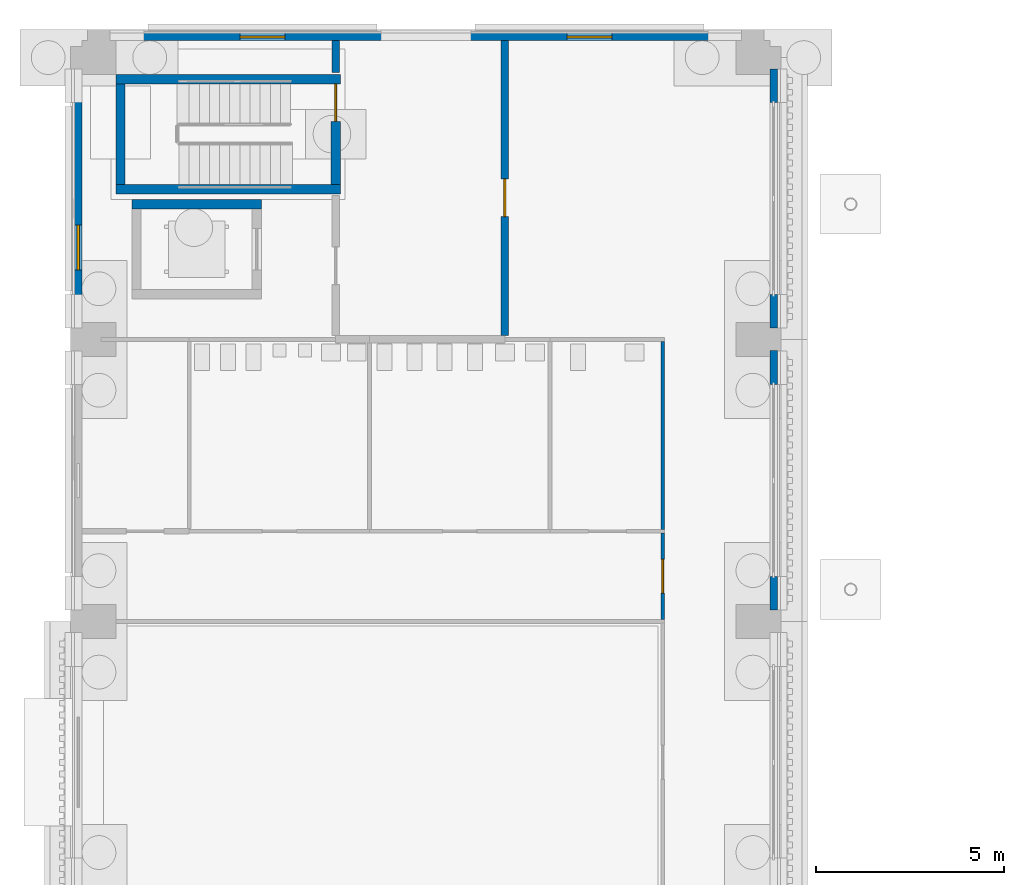
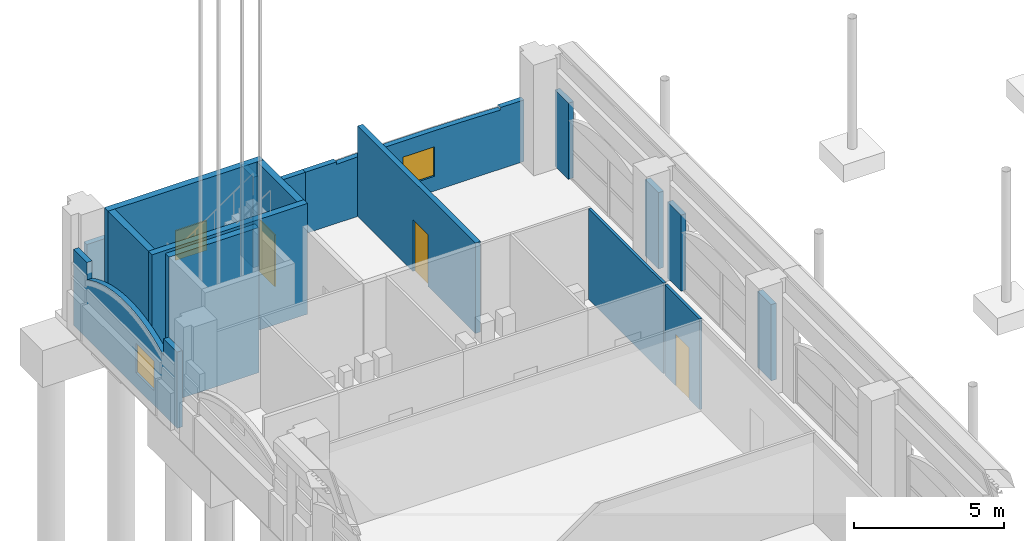
# One storey, part 39 of 99: 16 walls, 3 doors, 3 windows, 6 openings.
"""IFC4 building model written with IfcOpenShell, lengths in metres."""

from ifc_helpers import new_model, si_unit, direction, frame, frame_2d, origin, place, context, subcontext, project, spatial, polyline, rectangle, outline, extrude, material, layer, layer_set, type_object, element, fill, save


model = new_model("IFC4")

# Units and contexts
model_context = context("Model", 3, precision=1e-05, world=origin(), true_north=direction((0.0, 1.0)))
body_context = subcontext(model_context, "Body", "Model", "MODEL_VIEW")
ifc_project = project(units=[si_unit("LENGTHUNIT", "METRE"), si_unit("AREAUNIT", "SQUARE_METRE"), si_unit("VOLUMEUNIT", "CUBIC_METRE"), si_unit("PLANEANGLEUNIT", "RADIAN"), si_unit("MASSUNIT", "GRAM", prefix="KILO")], contexts=[model_context])

# Site, building, storey
site_placement = place(None, origin())
site = spatial("IfcSite", under=ifc_project, at=site_placement, CompositionType="ELEMENT")
building_placement = place(site_placement, origin())
building = spatial("IfcBuilding", under=site, at=building_placement, Name="Cour d'Honneur Mobility Palace", CompositionType="ELEMENT")
storey_placement = place(building_placement, origin())
storey = spatial("IfcBuildingStorey", under=building, at=storey_placement, Name="L00", CompositionType="ELEMENT", Elevation=0.0)

# Walls
ifc_material_1 = material(Name="Concrete C40", Category="concrete")
ifc_layer_1 = layer(ifc_material_1, 0.199951171875)
ifc_layer_set_1 = layer_set([ifc_layer_1], Name="Concrete C40")
wall_type_1 = type_object("IfcWallType", Name="Arch infill panel", PredefinedType="SOLIDWALL", material=ifc_layer_set_1)
for number, where, z_axis, x_axis, name in (
    (1, (17.949951171875, 100.199951171875, 0.0), (0.0, 0.0, 1.0), (0.0, 1.0, 0.0), "Arch infill panel IP-91"),
    (2, (17.949951171875, 106.199951171875, 0.0), (0.0, 0.0, 1.0), (0.0, 1.0, 0.0), "Arch infill panel IP-92"),
    (3, (17.949951171875, 107.699951171875, 0.0), (0.0, 0.0, 1.0), (0.0, 1.0, 0.0), "Arch infill panel IP-93"),
    (4, (17.949951171875, 113.699951171875, 0.0), (0.0, 0.0, 1.0), (0.0, 1.0, 0.0), "Arch infill panel IP-94"),
):
    element("IfcWall", number, at=place(storey_placement, frame(where, z_axis=z_axis, x_axis=x_axis)), inside=storey, type_object=wall_type_1, Name=name, PredefinedType="SOLIDWALL", context=body_context, shape_type="SweptSolid", body=[
        extrude(rectangle(XDim=0.900146484375, YDim=0.199951171875, at=frame_2d((0.4501953125, 0.0))), origin(), (0.0, 0.0, 1.0), 3.10009765625),
    ])

# Wall, opening, window
wall_1_placement = place(storey_placement, frame((17.10009765625, 115.449951171875, 0.0), z_axis=(0.0, 0.0, 1.0), x_axis=(-1.0, 0.0, 0.0)))
wall_1 = element("IfcWall", 5, at=wall_1_placement, inside=storey, type_object=wall_type_1, Name="Arch infill panel IP-95", PredefinedType="SOLIDWALL", context=body_context, shape_type="SweptSolid", body=[
    extrude(outline(polyline([(0.0, 0.0), (8.400146484375, 0.0), (8.39990234375, 2.5), (7.201904296875, 2.5), (7.199951171875, 2.39990234375), (6.80615234375, 2.41162109375), (6.41259765625, 2.421875), (6.018798828125, 2.430419921875), (5.625, 2.4375), (5.231201171875, 2.44287109375), (4.83740234375, 2.44677734375), (4.44384765625, 2.44921875), (4.050048828125, 2.449951171875), (3.65625, 2.44921875), (3.262451171875, 2.44677734375), (2.86865234375, 2.44287109375), (2.47509765625, 2.4375), (2.081298828125, 2.430419921875), (1.6875, 2.421875), (1.293701171875, 2.41162109375), (0.89990234375, 2.39990234375), (0.89794921875, 2.5), (0.0, 2.5), (0.0, 0.0)])), frame((0.0, 0.10009765625, 0.0), z_axis=(0.0, -1.0, 0.0), x_axis=(1.0, 0.0, 0.0)), (0.0, 0.0, 1.0), 0.199951171875),
])
opening_1_placement = place(wall_1_placement, frame((3.449951171875, 0.0, 0.60009765625)))
opening_1 = element("IfcOpeningElement", 6, at=opening_1_placement, cuts=wall_1, Name="Opening WP-7", PredefinedType="OPENING", context=body_context, shape_type="SweptSolid", body=[
    extrude(rectangle(XDim=1.199951171875, YDim=1.199951171875, at=frame_2d((0.60009765625, 0.60009765625))), frame((0.0, 0.10986328125, 0.0), z_axis=(0.0, -1.0, 0.0), x_axis=(1.0, 0.0, 0.0)), (0.0, 0.0, 1.0), 0.219970703125),
])
ifc_material_2 = material(Name="Aluminium frame and glass", Category="aluminium")
window_type = type_object("IfcWindowType", Name="Pavilion window W-PV", PartitioningType="SINGLE_PANEL", PredefinedType="WINDOW", material=ifc_material_2)
window_1_placement = place(opening_1_placement, origin())
window_1 = element("IfcWindow", 7, at=window_1_placement, inside=storey, type_object=window_type, Name="Pavilion window W-PV WP-7", OverallHeight=1.199951171875, OverallWidth=1.199951171875, PartitioningType="SINGLE_PANEL", PredefinedType="WINDOW", context=body_context, shape_type="SweptSolid", body=[
    extrude(rectangle(XDim=1.199951171875, YDim=1.199951171875, at=frame_2d((0.60009765625, 0.60009765625))), frame((0.0, 0.030029296875, 0.0), z_axis=(0.0, -1.0, 0.0), x_axis=(1.0, 0.0, 0.0)), (0.0, 0.0, 1.0), 0.06005859375),
])
fill(opening_1, window_1)

wall_2_placement = place(storey_placement, frame((8.699951171875, 115.449951171875, 0.0), z_axis=(0.0, 0.0, 1.0), x_axis=(-1.0, 0.0, 0.0)))
wall_2 = element("IfcWall", 8, at=wall_2_placement, inside=storey, type_object=wall_type_1, Name="Arch infill panel IP-96", PredefinedType="SOLIDWALL", context=body_context, shape_type="SweptSolid", body=[
    extrude(outline(polyline([(0.0, 0.0), (8.39990234375, 0.0), (8.39990234375, 2.5), (7.501953125, 2.5), (7.5, 2.39990234375), (7.106201171875, 2.41162109375), (6.71240234375, 2.421875), (6.31884765625, 2.430419921875), (5.925048828125, 2.4375), (5.53125, 2.44287109375), (5.137451171875, 2.44677734375), (4.74365234375, 2.44921875), (4.35009765625, 2.449951171875), (3.956298828125, 2.44921875), (3.5625, 2.44677734375), (3.168701171875, 2.44287109375), (2.77490234375, 2.4375), (2.38134765625, 2.430419921875), (1.987548828125, 2.421875), (1.59375, 2.41162109375), (1.199951171875, 2.39990234375), (1.197998046875, 2.5), (0.0, 2.5), (0.0, 0.0)])), frame((0.0, 0.10009765625, 0.0), z_axis=(0.0, -1.0, 0.0), x_axis=(1.0, 0.0, 0.0)), (0.0, 0.0, 1.0), 0.199951171875),
])
opening_2_placement = place(wall_2_placement, frame((3.75, 0.0, 0.60009765625)))
opening_2 = element("IfcOpeningElement", 9, at=opening_2_placement, cuts=wall_2, Name="Opening WP-8", PredefinedType="OPENING", context=body_context, shape_type="SweptSolid", body=[
    extrude(rectangle(XDim=1.199951171875, YDim=1.199951171875, at=frame_2d((0.60009765625, 0.60009765625))), frame((0.0, 0.10986328125, 0.0), z_axis=(0.0, -1.0, 0.0), x_axis=(1.0, 0.0, 0.0)), (0.0, 0.0, 1.0), 0.219970703125),
])
window_2_placement = place(opening_2_placement, origin())
window_2 = element("IfcWindow", 10, at=window_2_placement, inside=storey, type_object=window_type, Name="Pavilion window W-PV WP-8", OverallHeight=1.199951171875, OverallWidth=1.199951171875, PartitioningType="SINGLE_PANEL", PredefinedType="WINDOW", context=body_context, shape_type="SweptSolid", body=[
    extrude(rectangle(XDim=1.199951171875, YDim=1.199951171875, at=frame_2d((0.60009765625, 0.60009765625))), frame((0.0, 0.030029296875, 0.0), z_axis=(0.0, -1.0, 0.0), x_axis=(1.0, 0.0, 0.0)), (0.0, 0.0, 1.0), 0.06005859375),
])
fill(opening_2, window_2)

wall_3_placement = place(storey_placement, frame((-0.550048828125, 114.60009765625, 0.0), z_axis=(0.0, 0.0, 1.0), x_axis=(0.0, -1.0, 0.0)))
wall_3 = element("IfcWall", 11, at=wall_3_placement, inside=storey, type_object=wall_type_1, Name="Arch infill panel IP-97", PredefinedType="SOLIDWALL", context=body_context, shape_type="SweptSolid", body=[
    extrude(outline(polyline([(0.0, 0.0), (6.900146484375, 0.0), (6.89990234375, 3.10009765625), (6.001953125, 3.10009765625), (6.0, 2.39990234375), (5.68115234375, 2.560302734375), (5.362548828125, 2.69482421875), (5.043701171875, 2.805908203125), (4.72509765625, 2.895263671875), (4.40625, 2.96337890625), (4.08740234375, 3.01171875), (3.768798828125, 3.04052734375), (3.449951171875, 3.050048828125), (3.13134765625, 3.04052734375), (2.8125, 3.01171875), (2.49365234375, 2.96337890625), (2.175048828125, 2.895263671875), (1.856201171875, 2.805908203125), (1.53759765625, 2.69482421875), (1.21875, 2.560302734375), (0.89990234375, 2.39990234375), (0.89794921875, 3.10009765625), (0.0, 3.10009765625), (0.0, 0.0)])), frame((0.0, 0.10009765625, 0.0), z_axis=(0.0, -1.0, 0.0), x_axis=(1.0, 0.0, 0.0)), (0.0, 0.0, 1.0), 0.199951171875),
])
opening_3_placement = place(wall_3_placement, frame((4.14990234375, 0.0, 0.60009765625)))
opening_3 = element("IfcOpeningElement", 12, at=opening_3_placement, cuts=wall_3, Name="Opening WP-9", PredefinedType="OPENING", context=body_context, shape_type="SweptSolid", body=[
    extrude(rectangle(XDim=1.199951171875, YDim=1.199951171875, at=frame_2d((0.60009765625, 0.60009765625))), frame((0.0, 0.10986328125, 0.0), z_axis=(0.0, -1.0, 0.0), x_axis=(1.0, 0.0, 0.0)), (0.0, 0.0, 1.0), 0.219970703125),
])
window_3_placement = place(opening_3_placement, origin())
window_3 = element("IfcWindow", 13, at=window_3_placement, inside=storey, type_object=window_type, Name="Pavilion window W-PV WP-9", OverallHeight=1.199951171875, OverallWidth=1.199951171875, PartitioningType="SINGLE_PANEL", PredefinedType="WINDOW", context=body_context, shape_type="SweptSolid", body=[
    extrude(rectangle(XDim=1.199951171875, YDim=1.199951171875, at=frame_2d((0.60009765625, 0.60009765625))), frame((0.0, 0.030029296875, 0.0), z_axis=(0.0, -1.0, 0.0), x_axis=(1.0, 0.0, 0.0)), (0.0, 0.0, 1.0), 0.06005859375),
])
fill(opening_3, window_3)

# Wall
ifc_material_3 = material(Name="Concrete C50", Category="concrete")
ifc_layer_2 = layer(ifc_material_3, 0.25)
ifc_layer_set_2 = layer_set([ifc_layer_2], Name="Concrete C50")
wall_type_2 = type_object("IfcWallType", Name="Lift shaft wall 250", PredefinedType="SHEAR", material=ifc_layer_set_2)
wall_4_placement = place(storey_placement, frame((0.875, 111.0, -1.39990234375), z_axis=(0.0, 0.0, 1.0), x_axis=(1.0, 0.0, 0.0)))
element("IfcWall", 14, at=wall_4_placement, inside=storey, type_object=wall_type_2, Name="Lift shaft wall WL-NW2 L00", PredefinedType="SHEAR", context=body_context, shape_type="SweptSolid", body=[
    extrude(rectangle(XDim=3.449951171875, YDim=0.25, at=frame_2d((1.72509765625, 0.0))), origin(), (0.0, 0.0, 1.0), 5.89990234375),
])

# Wall, opening, door
ifc_material_4 = material(Name="Gypsum plasterboard")
ifc_layer_3 = layer(ifc_material_4, 0.10009765625)
ifc_layer_set_3 = layer_set([ifc_layer_3], Name="Gypsum plasterboard")
wall_type_3 = type_object("IfcWallType", Name="Partition 100", PredefinedType="PARTITIONING", material=ifc_layer_set_3)
wall_5_placement = place(storey_placement, frame((15.0, 99.949951171875, 0.0), z_axis=(0.0, 0.0, 1.0), x_axis=(0.0, 1.0, 0.0)))
wall_5 = element("IfcWall", 15, at=wall_5_placement, inside=storey, type_object=wall_type_3, Name="Partition 109", PredefinedType="PARTITIONING", context=body_context, shape_type="SweptSolid", body=[
    extrude(rectangle(XDim=2.300048828125, YDim=0.10009765625, at=frame_2d((1.14990234375, 0.0))), origin(), (0.0, 0.0, 1.0), 3.679931640625),
])
opening_4_placement = place(wall_5_placement, frame((0.699951171875, 0.0, 0.0)))
opening_4 = element("IfcOpeningElement", 16, at=opening_4_placement, cuts=wall_5, Name="Opening D0035", PredefinedType="OPENING", context=body_context, shape_type="SweptSolid", body=[
    extrude(rectangle(XDim=0.89990234375, YDim=2.10009765625, at=frame_2d((0.449951171875, 1.050048828125))), frame((0.0, 0.06005859375, 0.0), z_axis=(0.0, -1.0, 0.0), x_axis=(1.0, 0.0, 0.0)), (0.0, 0.0, 1.0), 0.1201171875),
])
ifc_material_5 = material(Name="Solid timber", Category="wood")
door_type_1 = type_object("IfcDoorType", Name="Single door 900 x 2100", OperationType="SINGLE_SWING_LEFT", PredefinedType="DOOR", material=ifc_material_5)
door_1_placement = place(opening_4_placement, origin())
door_1 = element("IfcDoor", 17, at=door_1_placement, inside=storey, type_object=door_type_1, Name="Door WC Corridor West", OperationType="SINGLE_SWING_LEFT", OverallHeight=2.10009765625, OverallWidth=0.89990234375, PredefinedType="DOOR", context=body_context, shape_type="SweptSolid", body=[
    extrude(rectangle(XDim=0.89990234375, YDim=2.10009765625, at=frame_2d((0.449951171875, 1.050048828125))), frame((0.0, 0.02490234375, 0.0), z_axis=(0.0, -1.0, 0.0), x_axis=(1.0, 0.0, 0.0)), (0.0, 0.0, 1.0), 0.050048828125),
])
fill(opening_4, door_1)

# Wall
wall_6_placement = place(storey_placement, frame((15.0, 102.35009765625, 0.0), z_axis=(0.0, 0.0, 1.0), x_axis=(0.0, 1.0, 0.0)))
element("IfcWall", 18, at=wall_6_placement, inside=storey, type_object=wall_type_3, Name="Partition 119", PredefinedType="PARTITIONING", context=body_context, shape_type="SweptSolid", body=[
    extrude(rectangle(XDim=5.0, YDim=0.10009765625, at=frame_2d((2.5, 0.0))), origin(), (0.0, 0.0, 1.0), 3.679931640625),
])

# Wall, opening, door
ifc_material_6 = material(Name="Gypsum plasterboard")
ifc_layer_4 = layer(ifc_material_6, 0.199951171875)
ifc_layer_set_4 = layer_set([ifc_layer_4], Name="Gypsum plasterboard")
wall_type_4 = type_object("IfcWallType", Name="Partition 200 rated EI 120", PredefinedType="PARTITIONING", material=ifc_layer_set_4)
wall_7_placement = place(storey_placement, frame((10.800048828125, 107.5, 0.0), z_axis=(0.0, 0.0, 1.0), x_axis=(0.0, 1.0, 0.0)))
wall_7 = element("IfcWall", 19, at=wall_7_placement, inside=storey, type_object=wall_type_4, Name="Partition 129", PredefinedType="PARTITIONING", context=body_context, shape_type="SweptSolid", body=[
    extrude(rectangle(XDim=7.85009765625, YDim=0.199951171875, at=frame_2d((3.925048828125, 0.0))), origin(), (0.0, 0.0, 1.0), 3.679931640625),
])
opening_5_placement = place(wall_7_placement, frame((3.169921875, 0.0, 0.0)))
opening_5 = element("IfcOpeningElement", 20, at=opening_5_placement, cuts=wall_7, Name="Opening D0002", PredefinedType="OPENING", context=body_context, shape_type="SweptSolid", body=[
    extrude(rectangle(XDim=1.0, YDim=2.10009765625, at=frame_2d((0.5, 1.050048828125))), frame((0.0, 0.10986328125, 0.0), z_axis=(0.0, -1.0, 0.0), x_axis=(1.0, 0.0, 0.0)), (0.0, 0.0, 1.0), 0.219970703125),
])
ifc_material_7 = material(Name="Galvanised steel", Category="steel")
door_type_2 = type_object("IfcDoorType", Name="Fire door FD120 1000 x 2100", OperationType="SINGLE_SWING_LEFT", PredefinedType="DOOR", material=ifc_material_7)
door_2_placement = place(opening_5_placement, origin())
door_2 = element("IfcDoor", 21, at=door_2_placement, inside=storey, type_object=door_type_2, Name="Door Lift Lobby NW", OperationType="SINGLE_SWING_LEFT", OverallHeight=2.10009765625, OverallWidth=1.0, PredefinedType="DOOR", context=body_context, shape_type="SweptSolid", body=[
    extrude(rectangle(XDim=1.0, YDim=2.10009765625, at=frame_2d((0.5, 1.050048828125))), frame((0.0, 0.02490234375, 0.0), z_axis=(0.0, -1.0, 0.0), x_axis=(1.0, 0.0, 0.0)), (0.0, 0.0, 1.0), 0.050048828125),
])
fill(opening_5, door_2)

# Walls
wall_8_placement = place(storey_placement, frame((6.300048828125, 115.35009765625, 0.0), z_axis=(0.0, 0.0, 1.0), x_axis=(0.0, -1.0, 0.0)))
element("IfcWall", 22, at=wall_8_placement, inside=storey, type_object=wall_type_4, Name="Partition 145", PredefinedType="PARTITIONING", context=body_context, shape_type="SweptSolid", body=[
    extrude(rectangle(XDim=0.85009765625, YDim=0.199951171875, at=frame_2d((0.425048828125, 0.0))), origin(), (0.0, 0.0, 1.0), 3.679931640625),
])
ifc_material_8 = material(Name="Concrete C50", Category="concrete")
ifc_layer_5 = layer(ifc_material_8, 0.25)
ifc_layer_set_5 = layer_set([ifc_layer_5], Name="Concrete C50")
wall_type_5 = type_object("IfcWallType", Name="Stair wall 250", PredefinedType="SHEAR", material=ifc_layer_set_5)
for number, where, z_axis, x_axis, name in (
    (23, (0.449951171875, 111.39990234375, 0.0), (0.0, 0.0, 1.0), (1.0, 0.0, 0.0), "Stair wall WS-NW3 L00"),
    (24, (0.449951171875, 114.324951171875, 0.0), (0.0, 0.0, 1.0), (1.0, 0.0, 0.0), "Stair wall WS-NW4 L00"),
):
    element("IfcWall", number, at=place(storey_placement, frame(where, z_axis=z_axis, x_axis=x_axis)), inside=storey, type_object=wall_type_5, Name=name, PredefinedType="SHEAR", context=body_context, shape_type="SweptSolid", body=[
        extrude(rectangle(XDim=5.97509765625, YDim=0.25, at=frame_2d((2.987548828125, 0.0))), origin(), (0.0, 0.0, 1.0), 4.5),
    ])
wall_9_placement = place(storey_placement, frame((0.574951171875, 111.52490234375, 0.0), z_axis=(0.0, 0.0, 1.0), x_axis=(0.0, 1.0, 0.0)))
element("IfcWall", 25, at=wall_9_placement, inside=storey, type_object=wall_type_5, Name="Stair wall WS-NW5 L00", PredefinedType="SHEAR", context=body_context, shape_type="SweptSolid", body=[
    extrude(rectangle(XDim=2.675048828125, YDim=0.25, at=frame_2d((1.33740234375, 0.0))), origin(), (0.0, 0.0, 1.0), 4.5),
])

# Wall, opening, door
wall_10_placement = place(storey_placement, frame((6.300048828125, 111.52490234375, 0.0), z_axis=(0.0, 0.0, 1.0), x_axis=(0.0, 1.0, 0.0)))
wall_10 = element("IfcWall", 26, at=wall_10_placement, inside=storey, type_object=wall_type_5, Name="Stair wall WS-NW8 L00", PredefinedType="SHEAR", context=body_context, shape_type="SweptSolid", body=[
    extrude(rectangle(XDim=2.675048828125, YDim=0.25, at=frame_2d((1.33740234375, 0.0))), origin(), (0.0, 0.0, 1.0), 4.5),
])
opening_6_placement = place(wall_10_placement, frame((1.675048828125, 0.0, 0.0)))
opening_6 = element("IfcOpeningElement", 27, at=opening_6_placement, cuts=wall_10, Name="Opening S97", PredefinedType="OPENING", context=body_context, shape_type="SweptSolid", body=[
    extrude(rectangle(XDim=1.0, YDim=2.10009765625, at=frame_2d((0.5, 1.050048828125))), frame((0.0, 0.135009765625, 0.0), z_axis=(0.0, -1.0, 0.0), x_axis=(1.0, 0.0, 0.0)), (0.0, 0.0, 1.0), 0.27001953125),
])
ifc_material_9 = material(Name="Galvanised steel", Category="steel")
door_type_3 = type_object("IfcDoorType", Name="Fire door FD120 stair 1000 x 2100", OperationType="SINGLE_SWING_LEFT", PredefinedType="DOOR", material=ifc_material_9)
door_3_placement = place(opening_6_placement, origin())
door_3 = element("IfcDoor", 28, at=door_3_placement, inside=storey, type_object=door_type_3, Name="Stair door ST-NW1 L00", OperationType="SINGLE_SWING_LEFT", OverallHeight=2.10009765625, OverallWidth=1.0, PredefinedType="DOOR", context=body_context, shape_type="SweptSolid", body=[
    extrude(rectangle(XDim=1.0, YDim=2.10009765625, at=frame_2d((0.5, 1.050048828125))), frame((0.0, 0.02490234375, 0.0), z_axis=(0.0, -1.0, 0.0), x_axis=(1.0, 0.0, 0.0)), (0.0, 0.0, 1.0), 0.050048828125),
])
fill(opening_6, door_3)

save(model, "model.ifc")
